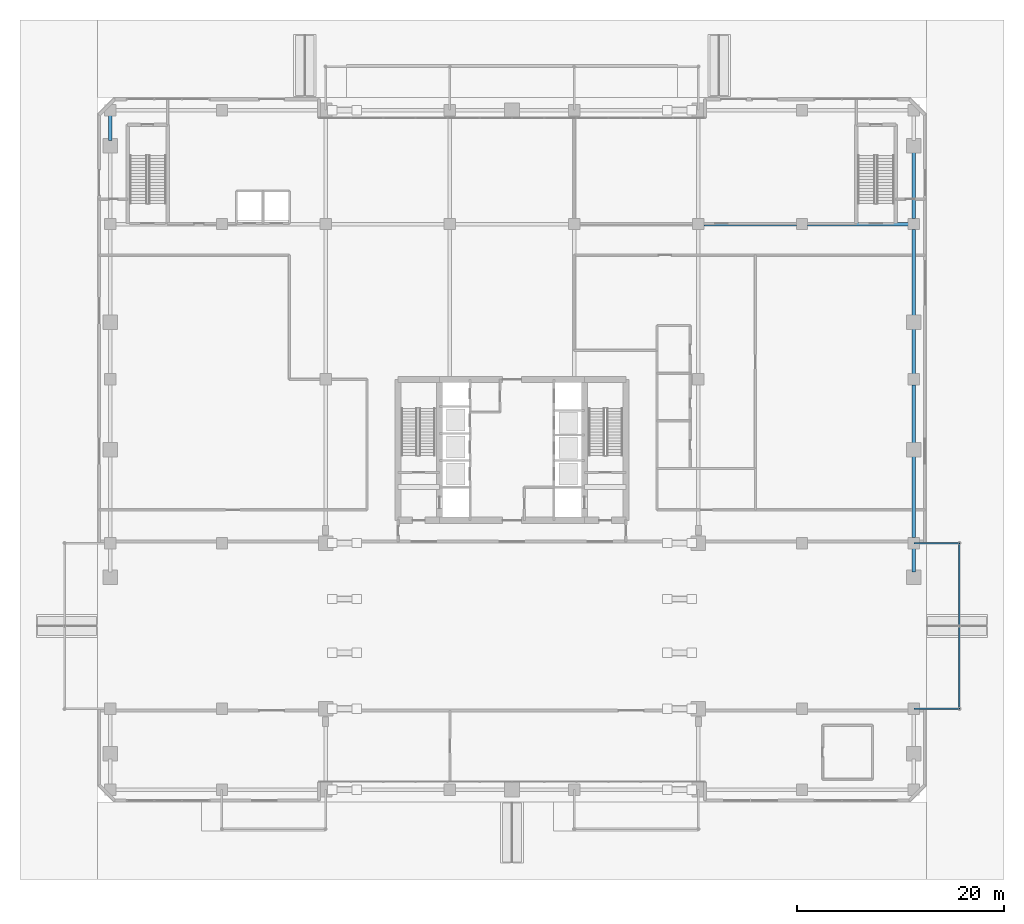
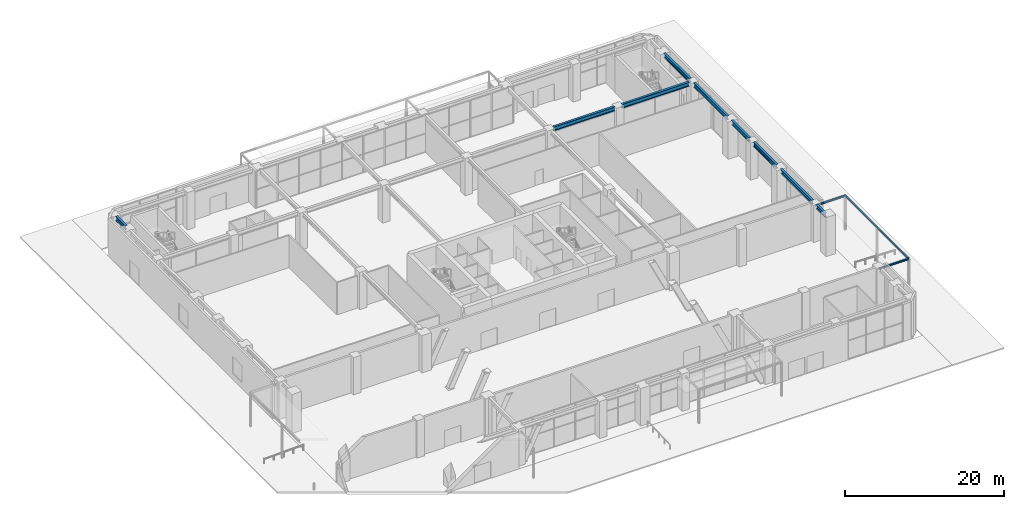
# One storey, part 21 of 49: 13 beams.
"""IFC4 building model written with IfcOpenShell, lengths in metres."""

from ifc_helpers import new_model, si_unit, direction, frame, origin, origin_2d, place, context, subcontext, project, spatial, i_section, extrude, material, material_profile, profile_set, type_object, element, save


model = new_model("IFC4")

# Units and contexts
model_context = context("Model", 3, precision=1e-05, world=origin(), true_north=direction((0.0, 1.0)))
body_context = subcontext(model_context, "Body", "Model", "MODEL_VIEW")
ifc_project = project(units=[si_unit("LENGTHUNIT", "METRE"), si_unit("AREAUNIT", "SQUARE_METRE"), si_unit("VOLUMEUNIT", "CUBIC_METRE"), si_unit("PLANEANGLEUNIT", "RADIAN"), si_unit("MASSUNIT", "GRAM", prefix="KILO")], contexts=[model_context])

# Site, building, storey
site_placement = place(None, origin())
site = spatial("IfcSite", under=ifc_project, at=site_placement, CompositionType="ELEMENT")
building_placement = place(site_placement, origin())
building = spatial("IfcBuilding", under=site, at=building_placement, Name="Sarneth Arch Tower", CompositionType="ELEMENT")
storey_placement = place(building_placement, origin())
storey = spatial("IfcBuildingStorey", under=building, at=storey_placement, Name="L00", CompositionType="ELEMENT", Elevation=0.0)

# Beams
ifc_material_1 = material(Name="Steel S355", Category="steel")
ifc_material_profile_1 = material_profile(ifc_material_1, i_section(OverallWidth=0.14794921875, OverallDepth=0.26611328125, WebThickness=0.007568359375, FlangeThickness=0.012939453125, FilletRadius=0.012939453125, at=origin_2d()), Name="W250x44.8")
ifc_profile_set_1 = profile_set([ifc_material_profile_1], Name="Steel S355")
beam_type_1 = type_object("IfcBeamType", Name="BM-JOIST-250", PredefinedType="JOIST", material=ifc_profile_set_1)
for number, where, z_axis, x_axis, name in (
    (1, (86.800048828125, 17.0, 5.159912109375), (1.0, 0.0, 0.0), (0.0, 1.0, 0.0), "Entrance canopy outrigger beam ARCH-E.1"),
    (2, (86.800048828125, 33.0, 5.159912109375), (1.0, 0.0, 0.0), (0.0, 1.0, 0.0), "Entrance canopy outrigger beam ARCH-E.2"),
):
    element("IfcBeam", number, at=place(storey_placement, frame(where, z_axis=z_axis, x_axis=x_axis)), inside=storey, type_object=beam_type_1, Name=name, PredefinedType="JOIST", context=body_context, shape_type="SweptSolid", body=[
        extrude(i_section(OverallWidth=0.14794921875, OverallDepth=0.26611328125, WebThickness=0.007568359375, FlangeThickness=0.012939453125, FilletRadius=0.012939453125, at=origin_2d()), origin(), (0.0, 0.0, 1.0), 4.39990234375),
    ])
for number, where, z_axis, x_axis, name in (
    (3, (91.199951171875, 17.0, 5.159912109375), (0.0, 1.0, 0.0), (-1.0, 0.0, 0.0), "Entrance canopy edge beam ARCH-E.1A"),
    (4, (91.199951171875, 25.0, 5.159912109375), (0.0, 1.0, 0.0), (-1.0, 0.0, 0.0), "Entrance canopy edge beam ARCH-E.1B"),
):
    element("IfcBeam", number, at=place(storey_placement, frame(where, z_axis=z_axis, x_axis=x_axis)), inside=storey, type_object=beam_type_1, Name=name, PredefinedType="JOIST", context=body_context, shape_type="SweptSolid", body=[
        extrude(i_section(OverallWidth=0.14794921875, OverallDepth=0.26611328125, WebThickness=0.007568359375, FlangeThickness=0.012939453125, FilletRadius=0.012939453125, at=origin_2d()), origin(), (0.0, 0.0, 1.0), 8.0),
    ])
ifc_material_2 = material(Name="Steel S355", Category="steel")
ifc_material_profile_2 = material_profile(ifc_material_2, i_section(OverallWidth=0.3291015625, OverallDepth=0.635009765625, WebThickness=0.017822265625, FlangeThickness=0.031005859375, FilletRadius=0.01904296875, at=origin_2d()), Name="W610x241")
ifc_profile_set_2 = profile_set([ifc_material_profile_2], Name="Steel S355")
beam_type_2 = type_object("IfcBeamType", Name="BM-POD-610", PredefinedType="BEAM", material=ifc_profile_set_2)
beam_1_placement = place(storey_placement, frame((66.52001953125, 63.800048828125, 5.402587890625), z_axis=(1.0, 0.0, 0.0), x_axis=(0.0, 1.0, 0.0)))
element("IfcBeam", 5, at=beam_1_placement, inside=storey, type_object=beam_type_2, Name="L00 Podium PC girder 6", PredefinedType="BEAM", context=body_context, shape_type="SweptSolid", body=[
    extrude(i_section(OverallWidth=0.3291015625, OverallDepth=0.635009765625, WebThickness=0.017822265625, FlangeThickness=0.031005859375, FilletRadius=0.01904296875, at=origin_2d()), origin(), (0.0, 0.0, 1.0), 8.9599609375),
])
beam_2_placement = place(storey_placement, frame((76.52001953125, 63.800048828125, 5.402587890625), z_axis=(1.0, 0.0, 0.0), x_axis=(0.0, 1.0, 0.0)))
element("IfcBeam", 6, at=beam_2_placement, inside=storey, type_object=beam_type_2, Name="L00 Podium PC girder 7", PredefinedType="BEAM", context=body_context, shape_type="SweptSolid", body=[
    extrude(i_section(OverallWidth=0.3291015625, OverallDepth=0.635009765625, WebThickness=0.017822265625, FlangeThickness=0.031005859375, FilletRadius=0.01904296875, at=origin_2d()), origin(), (0.0, 0.0, 1.0), 9.760009765625),
])
beam_3_placement = place(storey_placement, frame((9.199951171875, 71.856689453125, 5.402587890625), z_axis=(0.0, 1.0, 0.0), x_axis=(-1.0, 0.0, 0.0)))
element("IfcBeam", 7, at=beam_3_placement, inside=storey, type_object=beam_type_2, Name="L00 Podium PW girder 10", PredefinedType="BEAM", context=body_context, shape_type="SweptSolid", body=[
    extrude(i_section(OverallWidth=0.3291015625, OverallDepth=0.635009765625, WebThickness=0.017822265625, FlangeThickness=0.031005859375, FilletRadius=0.01904296875, at=origin_2d()), origin(), (0.0, 0.0, 1.0), 2.42333984375),
])
beam_4_placement = place(storey_placement, frame((86.800048828125, 30.2021484375, 5.402587890625), z_axis=(0.0, 1.0, 0.0), x_axis=(-1.0, 0.0, 0.0)))
element("IfcBeam", 8, at=beam_4_placement, inside=storey, type_object=beam_type_2, Name="L00 Podium PE girder 4", PredefinedType="BEAM", context=body_context, shape_type="SweptSolid", body=[
    extrude(i_section(OverallWidth=0.3291015625, OverallDepth=0.635009765625, WebThickness=0.017822265625, FlangeThickness=0.031005859375, FilletRadius=0.01904296875, at=origin_2d()), origin(), (0.0, 0.0, 1.0), 2.27783203125),
])
beam_5_placement = place(storey_placement, frame((86.800048828125, 33.52001953125, 5.402587890625), z_axis=(0.0, 1.0, 0.0), x_axis=(-1.0, 0.0, 0.0)))
element("IfcBeam", 9, at=beam_5_placement, inside=storey, type_object=beam_type_2, Name="L00 Podium PE girder 5", PredefinedType="BEAM", context=body_context, shape_type="SweptSolid", body=[
    extrude(i_section(OverallWidth=0.3291015625, OverallDepth=0.635009765625, WebThickness=0.017822265625, FlangeThickness=0.031005859375, FilletRadius=0.01904296875, at=origin_2d()), origin(), (0.0, 0.0, 1.0), 7.9599609375),
])
beam_6_placement = place(storey_placement, frame((86.800048828125, 42.52001953125, 5.402587890625), z_axis=(0.0, 1.0, 0.0), x_axis=(-1.0, 0.0, 0.0)))
element("IfcBeam", 10, at=beam_6_placement, inside=storey, type_object=beam_type_2, Name="L00 Podium PE girder 6", PredefinedType="BEAM", context=body_context, shape_type="SweptSolid", body=[
    extrude(i_section(OverallWidth=0.3291015625, OverallDepth=0.635009765625, WebThickness=0.017822265625, FlangeThickness=0.031005859375, FilletRadius=0.01904296875, at=origin_2d()), origin(), (0.0, 0.0, 1.0), 5.760009765625),
])
beam_7_placement = place(storey_placement, frame((86.800048828125, 49.320068359375, 5.402587890625), z_axis=(0.0, 1.0, 0.0), x_axis=(-1.0, 0.0, 0.0)))
element("IfcBeam", 11, at=beam_7_placement, inside=storey, type_object=beam_type_2, Name="L00 Podium PE girder 7", PredefinedType="BEAM", context=body_context, shape_type="SweptSolid", body=[
    extrude(i_section(OverallWidth=0.3291015625, OverallDepth=0.635009765625, WebThickness=0.017822265625, FlangeThickness=0.031005859375, FilletRadius=0.01904296875, at=origin_2d()), origin(), (0.0, 0.0, 1.0), 4.477783203125),
])
beam_8_placement = place(storey_placement, frame((86.800048828125, 54.837890625, 5.402587890625), z_axis=(0.0, 1.0, 0.0), x_axis=(-1.0, 0.0, 0.0)))
element("IfcBeam", 12, at=beam_8_placement, inside=storey, type_object=beam_type_2, Name="L00 Podium PE girder 8", PredefinedType="BEAM", context=body_context, shape_type="SweptSolid", body=[
    extrude(i_section(OverallWidth=0.3291015625, OverallDepth=0.635009765625, WebThickness=0.017822265625, FlangeThickness=0.031005859375, FilletRadius=0.01904296875, at=origin_2d()), origin(), (0.0, 0.0, 1.0), 8.442138671875),
])
beam_9_placement = place(storey_placement, frame((86.800048828125, 64.320068359375, 5.402587890625), z_axis=(0.0, 1.0, 0.0), x_axis=(-1.0, 0.0, 0.0)))
element("IfcBeam", 13, at=beam_9_placement, inside=storey, type_object=beam_type_2, Name="L00 Podium PE girder 9", PredefinedType="BEAM", context=body_context, shape_type="SweptSolid", body=[
    extrude(i_section(OverallWidth=0.3291015625, OverallDepth=0.635009765625, WebThickness=0.017822265625, FlangeThickness=0.031005859375, FilletRadius=0.01904296875, at=origin_2d()), origin(), (0.0, 0.0, 1.0), 6.49658203125),
])

save(model, "model.ifc")
